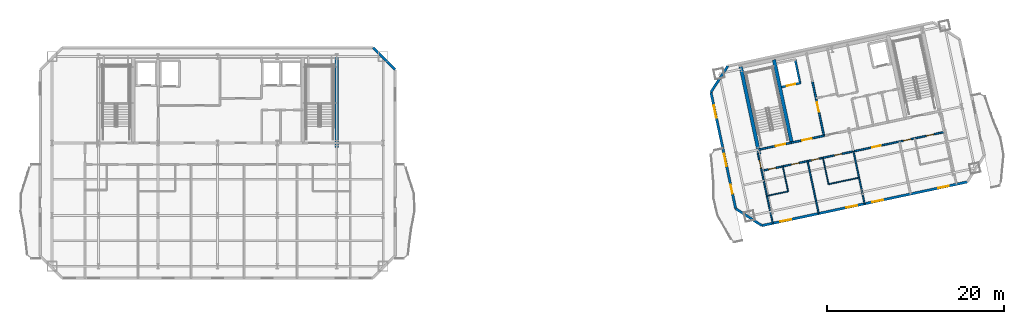
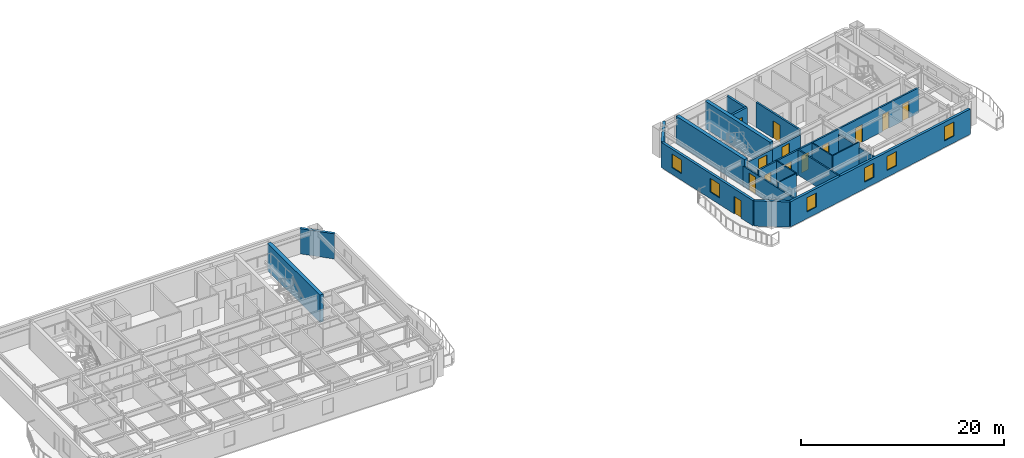
# One storey, part 7 of 13: 21 walls, 13 doors, 6 windows, 19 openings.
"""IFC4 building model written with IfcOpenShell, lengths in metres."""

from ifc_helpers import new_model, si_unit, direction, frame, frame_2d, origin, place, context, subcontext, project, spatial, rectangle, extrude, material, layer, layer_set, type_object, element, fill, save


model = new_model("IFC4")

# Units and contexts
model_context = context("Model", 3, precision=1e-05, world=origin(), true_north=direction((0.0, 1.0)))
body_context = subcontext(model_context, "Body", "Model", "MODEL_VIEW")
ifc_project = project(units=[si_unit("LENGTHUNIT", "METRE"), si_unit("AREAUNIT", "SQUARE_METRE"), si_unit("VOLUMEUNIT", "CUBIC_METRE"), si_unit("PLANEANGLEUNIT", "RADIAN"), si_unit("MASSUNIT", "GRAM", prefix="KILO")], contexts=[model_context])

# Site, building, storey
site_placement = place(None, origin())
site = spatial("IfcSite", under=ifc_project, at=site_placement, CompositionType="ELEMENT")
building_placement = place(site_placement, origin())
building = spatial("IfcBuilding", under=site, at=building_placement, Name="Haevon Station Towers", CompositionType="ELEMENT")
storey_placement = place(building_placement, frame((0.0, 0.0, 222.0)))
storey = spatial("IfcBuildingStorey", under=building, at=storey_placement, Name="L61", CompositionType="ELEMENT", Elevation=222.0)

# Wall, openings, doors
ifc_material_1 = material(Name="Gypsum board on steel stud", Category="steel")
ifc_layer_1 = layer(ifc_material_1, 0.179931640625)
ifc_layer_set_1 = layer_set([ifc_layer_1], Name="Gypsum board on steel stud")
wall_type_1 = type_object("IfcWallType", Name="WL-ACU180", PredefinedType="PARTITIONING", material=ifc_layer_set_1)
wall_1_placement = place(storey_placement, frame((99.12353515625, 35.047119140625, 0.0), z_axis=(0.0, 0.0, 1.0), x_axis=(0.97814677222, 0.207915588631, 0.0)))
wall_1 = element("IfcWall", 1, at=wall_1_placement, inside=storey, type_object=wall_type_1, Name="WL-T2PT-L61-12", PredefinedType="PARTITIONING", context=body_context, shape_type="SweptSolid", body=[
    extrude(rectangle(XDim=21.27001953125, YDim=0.179931640625, at=frame_2d((10.635009765625, 0.0))), origin(), (0.0, 0.0, 1.0), 3.030029296875),
])
opening_1_placement = place(wall_1_placement, frame((0.800048828125, 0.0, 0.0)))
opening_1 = element("IfcOpeningElement", 2, at=opening_1_placement, cuts=wall_1, Name="Opening DR-WL-T2PT-L61-12-01", PredefinedType="OPENING", context=body_context, shape_type="SweptSolid", body=[
    extrude(rectangle(XDim=0.85009765625, YDim=2.050048828125, at=frame_2d((0.425048828125, 1.02490234375))), frame((0.0, 0.099853515625, 0.0), z_axis=(0.0, -1.0, 0.0), x_axis=(1.0, 0.0, 0.0)), (0.0, 0.0, 1.0), 0.199951171875),
])
opening_2_placement = place(wall_1_placement, frame((3.43408203125, 0.0, 0.0)))
opening_2 = element("IfcOpeningElement", 3, at=opening_2_placement, cuts=wall_1, Name="Opening DR-WL-T2PT-L61-12-02", PredefinedType="OPENING", context=body_context, shape_type="SweptSolid", body=[
    extrude(rectangle(XDim=0.89990234375, YDim=2.050048828125, at=frame_2d((0.449951171875, 1.02490234375))), frame((0.0, 0.099853515625, 0.0), z_axis=(0.0, -1.0, 0.0), x_axis=(1.0, 0.0, 0.0)), (0.0, 0.0, 1.0), 0.199951171875),
])
opening_3_placement = place(wall_1_placement, frame((8.44091796875, 0.0, 0.0)))
opening_3 = element("IfcOpeningElement", 4, at=opening_3_placement, cuts=wall_1, Name="Opening DR-WL-T2PT-L61-12-03", PredefinedType="OPENING", context=body_context, shape_type="SweptSolid", body=[
    extrude(rectangle(XDim=0.85009765625, YDim=2.050048828125, at=frame_2d((0.425048828125, 1.02490234375))), frame((0.0, 0.099853515625, 0.0), z_axis=(0.0, -1.0, 0.0), x_axis=(1.0, 0.0, 0.0)), (0.0, 0.0, 1.0), 0.199951171875),
])
opening_4_placement = place(wall_1_placement, frame((5.757080078125, 0.0, 0.0)))
opening_4 = element("IfcOpeningElement", 5, at=opening_4_placement, cuts=wall_1, Name="Opening DR-WL-T2PT-L61-12-04", PredefinedType="OPENING", context=body_context, shape_type="SweptSolid", body=[
    extrude(rectangle(XDim=0.89990234375, YDim=2.050048828125, at=frame_2d((0.449951171875, 1.02490234375))), frame((0.0, 0.099853515625, 0.0), z_axis=(0.0, -1.0, 0.0), x_axis=(1.0, 0.0, 0.0)), (0.0, 0.0, 1.0), 0.199951171875),
])
opening_5_placement = place(wall_1_placement, frame((12.819091796875, 0.0, 0.0)))
opening_5 = element("IfcOpeningElement", 6, at=opening_5_placement, cuts=wall_1, Name="Opening DR-WL-T2PT-L61-12-05", PredefinedType="OPENING", context=body_context, shape_type="SweptSolid", body=[
    extrude(rectangle(XDim=0.949951171875, YDim=2.10009765625, at=frame_2d((0.47509765625, 1.050048828125))), frame((0.0, 0.099853515625, 0.0), z_axis=(0.0, -1.0, 0.0), x_axis=(1.0, 0.0, 0.0)), (0.0, 0.0, 1.0), 0.199951171875),
])
opening_6_placement = place(wall_1_placement, frame((19.075927734375, 0.0, 0.0)))
opening_6 = element("IfcOpeningElement", 7, at=opening_6_placement, cuts=wall_1, Name="Opening DR-WL-T2PT-L61-12-06", PredefinedType="OPENING", context=body_context, shape_type="SweptSolid", body=[
    extrude(rectangle(XDim=0.85009765625, YDim=2.050048828125, at=frame_2d((0.425048828125, 1.02490234375))), frame((0.0, 0.099853515625, 0.0), z_axis=(0.0, -1.0, 0.0), x_axis=(1.0, 0.0, 0.0)), (0.0, 0.0, 1.0), 0.199951171875),
])
opening_7_placement = place(wall_1_placement, frame((16.39208984375, 0.0, 0.0)))
opening_7 = element("IfcOpeningElement", 8, at=opening_7_placement, cuts=wall_1, Name="Opening DR-WL-T2PT-L61-12-07", PredefinedType="OPENING", context=body_context, shape_type="SweptSolid", body=[
    extrude(rectangle(XDim=0.89990234375, YDim=2.050048828125, at=frame_2d((0.449951171875, 1.02490234375))), frame((0.0, 0.099853515625, 0.0), z_axis=(0.0, -1.0, 0.0), x_axis=(1.0, 0.0, 0.0)), (0.0, 0.0, 1.0), 0.199951171875),
])
ifc_material_2 = material(Name="Engineered oak timber", Category="wood")
door_type_1 = type_object("IfcDoorType", Name="DR-FD30-850", OperationType="NOTDEFINED", PredefinedType="DOOR", material=ifc_material_2)
door_1_placement = place(opening_1_placement, origin())
door_1 = element("IfcDoor", 9, at=door_1_placement, inside=storey, type_object=door_type_1, Name="L61 Tower 2 Room Door 12-1", OperationType="SINGLE_SWING_RIGHT", OverallHeight=2.050048828125, OverallWidth=0.85009765625, PredefinedType="DOOR", context=body_context, shape_type="SweptSolid", body=[
    extrude(rectangle(XDim=0.85009765625, YDim=2.050048828125, at=frame_2d((0.425048828125, 1.02490234375))), frame((0.0, 0.02490234375, 0.0), z_axis=(0.0, -1.0, 0.0), x_axis=(1.0, 0.0, 0.0)), (0.0, 0.0, 1.0), 0.050048828125),
])
fill(opening_1, door_1)
door_2_placement = place(opening_3_placement, origin())
door_2 = element("IfcDoor", 10, at=door_2_placement, inside=storey, type_object=door_type_1, Name="L61 Tower 2 Room Door 12-3", OperationType="SINGLE_SWING_RIGHT", OverallHeight=2.050048828125, OverallWidth=0.85009765625, PredefinedType="DOOR", context=body_context, shape_type="SweptSolid", body=[
    extrude(rectangle(XDim=0.85009765625, YDim=2.050048828125, at=frame_2d((0.425048828125, 1.02490234375))), frame((0.0, 0.02490234375, 0.0), z_axis=(0.0, -1.0, 0.0), x_axis=(1.0, 0.0, 0.0)), (0.0, 0.0, 1.0), 0.050048828125),
])
fill(opening_3, door_2)
door_3_placement = place(opening_6_placement, origin())
door_3 = element("IfcDoor", 11, at=door_3_placement, inside=storey, type_object=door_type_1, Name="L61 Tower 2 Room Door 12-6", OperationType="SINGLE_SWING_LEFT", OverallHeight=2.050048828125, OverallWidth=0.85009765625, PredefinedType="DOOR", context=body_context, shape_type="SweptSolid", body=[
    extrude(rectangle(XDim=0.85009765625, YDim=2.050048828125, at=frame_2d((0.425048828125, 1.02490234375))), frame((0.0, 0.02490234375, 0.0), z_axis=(0.0, -1.0, 0.0), x_axis=(1.0, 0.0, 0.0)), (0.0, 0.0, 1.0), 0.050048828125),
])
fill(opening_6, door_3)
door_type_2 = type_object("IfcDoorType", Name="DR-FD30-950", OperationType="NOTDEFINED", PredefinedType="DOOR", material=ifc_material_2)
door_4_placement = place(opening_5_placement, origin())
door_4 = element("IfcDoor", 12, at=door_4_placement, inside=storey, type_object=door_type_2, Name="L61 Tower 2 Room Door 12-5", OperationType="SINGLE_SWING_RIGHT", OverallHeight=2.10009765625, OverallWidth=0.949951171875, PredefinedType="DOOR", context=body_context, shape_type="SweptSolid", body=[
    extrude(rectangle(XDim=0.949951171875, YDim=2.10009765625, at=frame_2d((0.47509765625, 1.050048828125))), frame((0.0, 0.02490234375, 0.0), z_axis=(0.0, -1.0, 0.0), x_axis=(1.0, 0.0, 0.0)), (0.0, 0.0, 1.0), 0.050048828125),
])
fill(opening_5, door_4)
door_type_3 = type_object("IfcDoorType", Name="DR-INT-900", OperationType="NOTDEFINED", PredefinedType="DOOR", material=ifc_material_2)
door_5_placement = place(opening_2_placement, origin())
door_5 = element("IfcDoor", 13, at=door_5_placement, inside=storey, type_object=door_type_3, Name="L61 Tower 2 Room Door 12-2", OperationType="SINGLE_SWING_LEFT", OverallHeight=2.050048828125, OverallWidth=0.89990234375, PredefinedType="DOOR", context=body_context, shape_type="SweptSolid", body=[
    extrude(rectangle(XDim=0.89990234375, YDim=2.050048828125, at=frame_2d((0.449951171875, 1.02490234375))), frame((0.0, 0.02490234375, 0.0), z_axis=(0.0, -1.0, 0.0), x_axis=(1.0, 0.0, 0.0)), (0.0, 0.0, 1.0), 0.050048828125),
])
fill(opening_2, door_5)
door_6_placement = place(opening_4_placement, origin())
door_6 = element("IfcDoor", 14, at=door_6_placement, inside=storey, type_object=door_type_3, Name="L61 Tower 2 Room Door 12-4", OperationType="SINGLE_SWING_LEFT", OverallHeight=2.050048828125, OverallWidth=0.89990234375, PredefinedType="DOOR", context=body_context, shape_type="SweptSolid", body=[
    extrude(rectangle(XDim=0.89990234375, YDim=2.050048828125, at=frame_2d((0.449951171875, 1.02490234375))), frame((0.0, 0.02490234375, 0.0), z_axis=(0.0, -1.0, 0.0), x_axis=(1.0, 0.0, 0.0)), (0.0, 0.0, 1.0), 0.050048828125),
])
fill(opening_4, door_6)
door_7_placement = place(opening_7_placement, origin())
door_7 = element("IfcDoor", 15, at=door_7_placement, inside=storey, type_object=door_type_3, Name="L61 Tower 2 Room Door 12-7", OperationType="SINGLE_SWING_RIGHT", OverallHeight=2.050048828125, OverallWidth=0.89990234375, PredefinedType="DOOR", context=body_context, shape_type="SweptSolid", body=[
    extrude(rectangle(XDim=0.89990234375, YDim=2.050048828125, at=frame_2d((0.449951171875, 1.02490234375))), frame((0.0, 0.02490234375, 0.0), z_axis=(0.0, -1.0, 0.0), x_axis=(1.0, 0.0, 0.0)), (0.0, 0.0, 1.0), 0.050048828125),
])
fill(opening_7, door_7)

# Wall, opening, door
ifc_layer_2 = layer(ifc_material_1, 0.199951171875)
ifc_layer_set_2 = layer_set([ifc_layer_2], Name="Gypsum board on steel stud")
wall_type_2 = type_object("IfcWallType", Name="WL-COR200", PredefinedType="PARTITIONING", material=ifc_layer_set_2)
wall_2_placement = place(storey_placement, frame((98.75244140625, 37.4423828125, 0.0), z_axis=(0.0, 0.0, 1.0), x_axis=(0.978143537786, 0.207930804564, 0.0)))
wall_2 = element("IfcWall", 16, at=wall_2_placement, inside=storey, type_object=wall_type_2, Name="WL-ST-ST3-L61", PredefinedType="PARTITIONING", context=body_context, shape_type="SweptSolid", body=[
    extrude(rectangle(XDim=3.85009765625, YDim=0.199951171875, at=frame_2d((1.925048828125, 0.0))), origin(), (0.0, 0.0, 1.0), 2.429931640625),
])
opening_8_placement = place(wall_2_placement, frame((2.0, 0.0, 0.0)))
opening_8 = element("IfcOpeningElement", 17, at=opening_8_placement, cuts=wall_2, Name="Opening DR-ST-ST3-L61", PredefinedType="OPENING", context=body_context, shape_type="SweptSolid", body=[
    extrude(rectangle(XDim=1.1201171875, YDim=2.10009765625, at=frame_2d((0.56005859375, 1.050048828125))), frame((0.0, 0.10986328125, 0.0), z_axis=(0.0, -1.0, 0.0), x_axis=(1.0, 0.0, 0.0)), (0.0, 0.0, 1.0), 0.219970703125),
])
door_type_4 = type_object("IfcDoorType", Name="DR-ST-1120", OperationType="NOTDEFINED", PredefinedType="DOOR", material=ifc_material_2)
door_8_placement = place(opening_8_placement, origin())
door_8 = element("IfcDoor", 18, at=door_8_placement, inside=storey, type_object=door_type_4, Name="L61 Escape Stair ST3 Fire Door", OperationType="SINGLE_SWING_RIGHT", OverallHeight=2.10009765625, OverallWidth=1.1201171875, PredefinedType="DOOR", context=body_context, shape_type="SweptSolid", body=[
    extrude(rectangle(XDim=1.1201171875, YDim=2.10009765625, at=frame_2d((0.56005859375, 1.050048828125))), frame((0.0, 0.02490234375, 0.0), z_axis=(0.0, -1.0, 0.0), x_axis=(1.0, 0.0, 0.0)), (0.0, 0.0, 1.0), 0.050048828125),
])
fill(opening_8, door_8)

wall_3_placement = place(storey_placement, frame((106.186279296875, 39.0224609375, 0.0), z_axis=(0.0, 0.0, 1.0), x_axis=(-0.207916691923, 0.978146537703, 0.0)))
wall_3 = element("IfcWall", 19, at=wall_3_placement, inside=storey, type_object=wall_type_2, Name="WL-T2FFL-L61-E", PredefinedType="PARTITIONING", context=body_context, shape_type="SweptSolid", body=[
    extrude(rectangle(XDim=6.35009765625, YDim=0.199951171875, at=frame_2d((3.175048828125, 0.0))), origin(), (0.0, 0.0, 1.0), 3.030029296875),
])
opening_9_placement = place(wall_3_placement, frame((2.800048828125, 0.0, 0.0)))
opening_9 = element("IfcOpeningElement", 20, at=opening_9_placement, cuts=wall_3, Name="Opening DR-T2FFL-L61-E", PredefinedType="OPENING", context=body_context, shape_type="SweptSolid", body=[
    extrude(rectangle(XDim=1.050048828125, YDim=2.10009765625, at=frame_2d((0.52490234375, 1.050048828125))), frame((0.0, 0.10986328125, 0.0), z_axis=(0.0, -1.0, 0.0), x_axis=(1.0, 0.0, 0.0)), (0.0, 0.0, 1.0), 0.219970703125),
])
door_type_5 = type_object("IfcDoorType", Name="DR-FD60-1050", OperationType="NOTDEFINED", PredefinedType="DOOR", material=ifc_material_2)
door_9_placement = place(opening_9_placement, origin())
door_9 = element("IfcDoor", 21, at=door_9_placement, inside=storey, type_object=door_type_5, Name="L61 Tower 2 Firefighting Lift Lobby Door E", OperationType="SINGLE_SWING_RIGHT", OverallHeight=2.10009765625, OverallWidth=1.050048828125, PredefinedType="DOOR", context=body_context, shape_type="SweptSolid", body=[
    extrude(rectangle(XDim=1.050048828125, YDim=2.10009765625, at=frame_2d((0.52490234375, 1.050048828125))), frame((0.0, 0.02490234375, 0.0), z_axis=(0.0, -1.0, 0.0), x_axis=(1.0, 0.0, 0.0)), (0.0, 0.0, 1.0), 0.050048828125),
])
fill(opening_9, door_9)

wall_4_placement = place(storey_placement, frame((102.518310546875, 38.242919921875, 0.0), z_axis=(0.0, 0.0, 1.0), x_axis=(0.978153555683, 0.20788367301, 0.0)))
wall_4 = element("IfcWall", 22, at=wall_4_placement, inside=storey, type_object=wall_type_2, Name="WL-T2FFL-L61-S", PredefinedType="PARTITIONING", context=body_context, shape_type="SweptSolid", body=[
    extrude(rectangle(XDim=3.75, YDim=0.199951171875, at=frame_2d((1.875, 0.0))), origin(), (0.0, 0.0, 1.0), 2.429931640625),
])
opening_10_placement = place(wall_4_placement, frame((1.25, 0.0, 0.0)))
opening_10 = element("IfcOpeningElement", 23, at=opening_10_placement, cuts=wall_4, Name="Opening DR-T2FFL-L61-S", PredefinedType="OPENING", context=body_context, shape_type="SweptSolid", body=[
    extrude(rectangle(XDim=1.050048828125, YDim=2.10009765625, at=frame_2d((0.52490234375, 1.050048828125))), frame((0.0, 0.10986328125, 0.0), z_axis=(0.0, -1.0, 0.0), x_axis=(1.0, 0.0, 0.0)), (0.0, 0.0, 1.0), 0.219970703125),
])
door_10_placement = place(opening_10_placement, origin())
door_10 = element("IfcDoor", 24, at=door_10_placement, inside=storey, type_object=door_type_5, Name="L61 Tower 2 Firefighting Lift Lobby Door S", OperationType="SINGLE_SWING_LEFT", OverallHeight=2.10009765625, OverallWidth=1.050048828125, PredefinedType="DOOR", context=body_context, shape_type="SweptSolid", body=[
    extrude(rectangle(XDim=1.050048828125, YDim=2.10009765625, at=frame_2d((0.52490234375, 1.050048828125))), frame((0.0, 0.02490234375, 0.0), z_axis=(0.0, -1.0, 0.0), x_axis=(1.0, 0.0, 0.0)), (0.0, 0.0, 1.0), 0.050048828125),
])
fill(opening_10, door_10)

# Walls
ifc_material_3 = material(Name="Concrete C60/75", Category="concrete")
ifc_layer_3 = layer(ifc_material_3, 0.39990234375)
ifc_layer_set_3 = layer_set([ifc_layer_3], Name="Concrete C60/75")
wall_type_3 = type_object("IfcWallType", Name="WL-CR400", PredefinedType="SHEAR", material=ifc_layer_set_3)
wall_5_placement = place(storey_placement, frame((51.0, 37.679931640625, 0.0), z_axis=(0.0, 0.0, 1.0), x_axis=(0.0, 1.0, 0.0)))
element("IfcWall", 25, at=wall_5_placement, inside=storey, type_object=wall_type_3, Name="WL-T1CR-L61-E", PredefinedType="SHEAR", context=body_context, shape_type="SweptSolid", body=[
    extrude(rectangle(XDim=10.320068359375, YDim=0.39990234375, at=frame_2d((5.16015625, 0.0))), origin(), (0.0, 0.0, 1.0), 3.300048828125),
])
wall_6_placement = place(storey_placement, frame((98.8603515625, 36.933837890625, 0.0), z_axis=(0.0, 0.0, 1.0), x_axis=(-0.20790924889, 0.978148119778, 0.0)))
element("IfcWall", 26, at=wall_6_placement, inside=storey, type_object=wall_type_3, Name="WL-T2CR-L61-W", PredefinedType="SHEAR", context=body_context, shape_type="SweptSolid", body=[
    extrude(rectangle(XDim=10.119873046875, YDim=0.39990234375, at=frame_2d((5.06005859375, 0.0))), origin(), (0.0, 0.0, 1.0), 3.300048828125),
])
wall_7_placement = place(storey_placement, frame((102.518310546875, 38.242919921875, 0.0), z_axis=(0.0, 0.0, 1.0), x_axis=(-0.207927495108, 0.978144241295, 0.0)))
element("IfcWall", 27, at=wall_7_placement, inside=storey, type_object=wall_type_3, Name="WL-T2CR-L61-M1", PredefinedType="SHEAR", context=body_context, shape_type="SweptSolid", body=[
    extrude(rectangle(XDim=9.599853515625, YDim=0.39990234375, at=frame_2d((4.7998046875, 0.0))), origin(), (0.0, 0.0, 1.0), 3.300048828125),
])
ifc_material_4 = material(Name="Precast concrete C45/55", Category="concrete")
ifc_layer_4 = layer(ifc_material_4, 0.280029296875)
ifc_layer_set_4 = layer_set([ifc_layer_4], Name="Precast concrete C45/55")
wall_type_4 = type_object("IfcWallType", Name="WL-EXT-PIER280", PredefinedType="SOLIDWALL", material=ifc_layer_set_4)
wall_8_placement = place(storey_placement, frame((55.10009765625, 49.0, 0.0), z_axis=(0.0, 0.0, 1.0), x_axis=(0.707106781187, -0.707106781187, 0.0)))
element("IfcWall", 28, at=wall_8_placement, inside=storey, type_object=wall_type_4, Name="WL-T1-L61-NEC", PredefinedType="SOLIDWALL", context=body_context, shape_type="SweptSolid", body=[
    extrude(rectangle(XDim=3.53564453125, YDim=0.280029296875, at=frame_2d((1.767822265625, 0.0))), origin(), (0.0, 0.0, 1.0), 3.030029296875),
])

# Wall, openings, windows
wall_9_placement = place(storey_placement, frame((122.427978515625, 33.795166015625, 0.0), z_axis=(0.0, 0.0, 1.0), x_axis=(-0.978147847697, -0.207910528946, 0.0)))
wall_9 = element("IfcWall", 29, at=wall_9_placement, inside=storey, type_object=wall_type_4, Name="WL-T2-L61-S", PredefinedType="SOLIDWALL", context=body_context, shape_type="SweptSolid", body=[
    extrude(rectangle(XDim=23.7998046875, YDim=0.280029296875, at=frame_2d((11.89990234375, 0.0))), origin(), (0.0, 0.0, 1.0), 3.030029296875),
])
opening_11_placement = place(wall_9_placement, frame((20.408935546875, 0.0, 0.800048828125)))
opening_11 = element("IfcOpeningElement", 30, at=opening_11_placement, cuts=wall_9, Name="Opening WN-P125", PredefinedType="OPENING", context=body_context, shape_type="SweptSolid", body=[
    extrude(rectangle(XDim=1.25, YDim=1.699951171875, at=frame_2d((0.625, 0.85009765625))), frame((0.0, 0.14990234375, 0.0), z_axis=(0.0, -1.0, 0.0), x_axis=(1.0, 0.0, 0.0)), (0.0, 0.0, 1.0), 0.300048828125),
])
opening_12_placement = place(wall_9_placement, frame((12.776123046875, 0.0, 0.800048828125)))
opening_12 = element("IfcOpeningElement", 31, at=opening_12_placement, cuts=wall_9, Name="Opening WN-P125", PredefinedType="OPENING", context=body_context, shape_type="SweptSolid", body=[
    extrude(rectangle(XDim=1.25, YDim=1.699951171875, at=frame_2d((0.625, 0.85009765625))), frame((0.0, 0.14990234375, 0.0), z_axis=(0.0, -1.0, 0.0), x_axis=(1.0, 0.0, 0.0)), (0.0, 0.0, 1.0), 0.300048828125),
])
opening_13_placement = place(wall_9_placement, frame((9.77392578125, 0.0, 0.800048828125)))
opening_13 = element("IfcOpeningElement", 32, at=opening_13_placement, cuts=wall_9, Name="Opening WN-P125", PredefinedType="OPENING", context=body_context, shape_type="SweptSolid", body=[
    extrude(rectangle(XDim=1.25, YDim=1.699951171875, at=frame_2d((0.625, 0.85009765625))), frame((0.0, 0.14990234375, 0.0), z_axis=(0.0, -1.0, 0.0), x_axis=(1.0, 0.0, 0.0)), (0.0, 0.0, 1.0), 0.300048828125),
])
opening_14_placement = place(wall_9_placement, frame((2.14111328125, 0.0, 0.800048828125)))
opening_14 = element("IfcOpeningElement", 33, at=opening_14_placement, cuts=wall_9, Name="Opening WN-P125", PredefinedType="OPENING", context=body_context, shape_type="SweptSolid", body=[
    extrude(rectangle(XDim=1.25, YDim=1.699951171875, at=frame_2d((0.625, 0.85009765625))), frame((0.0, 0.14990234375, 0.0), z_axis=(0.0, -1.0, 0.0), x_axis=(1.0, 0.0, 0.0)), (0.0, 0.0, 1.0), 0.300048828125),
])
ifc_material_5 = material(Name="Low-E triple glazing in thermally broken aluminium", Category="aluminium")
window_type_1 = type_object("IfcWindowType", Name="WN-P125", PartitioningType="SINGLE_PANEL", PredefinedType="WINDOW", material=ifc_material_5)
window_1_placement = place(opening_11_placement, origin())
window_1 = element("IfcWindow", 34, at=window_1_placement, inside=storey, type_object=window_type_1, Name="WN-T2-L61-S01", OverallHeight=1.699951171875, OverallWidth=1.25, PartitioningType="SINGLE_PANEL", PredefinedType="WINDOW", context=body_context, shape_type="SweptSolid", body=[
    extrude(rectangle(XDim=1.25, YDim=1.699951171875, at=frame_2d((0.625, 0.85009765625))), frame((0.0, 0.030029296875, 0.0), z_axis=(0.0, -1.0, 0.0), x_axis=(1.0, 0.0, 0.0)), (0.0, 0.0, 1.0), 0.06005859375),
])
fill(opening_11, window_1)
window_2_placement = place(opening_12_placement, origin())
window_2 = element("IfcWindow", 35, at=window_2_placement, inside=storey, type_object=window_type_1, Name="WN-T2-L61-S02", OverallHeight=1.699951171875, OverallWidth=1.25, PartitioningType="SINGLE_PANEL", PredefinedType="WINDOW", context=body_context, shape_type="SweptSolid", body=[
    extrude(rectangle(XDim=1.25, YDim=1.699951171875, at=frame_2d((0.625, 0.85009765625))), frame((0.0, 0.030029296875, 0.0), z_axis=(0.0, -1.0, 0.0), x_axis=(1.0, 0.0, 0.0)), (0.0, 0.0, 1.0), 0.06005859375),
])
fill(opening_12, window_2)
window_3_placement = place(opening_13_placement, origin())
window_3 = element("IfcWindow", 36, at=window_3_placement, inside=storey, type_object=window_type_1, Name="WN-T2-L61-S03", OverallHeight=1.699951171875, OverallWidth=1.25, PartitioningType="SINGLE_PANEL", PredefinedType="WINDOW", context=body_context, shape_type="SweptSolid", body=[
    extrude(rectangle(XDim=1.25, YDim=1.699951171875, at=frame_2d((0.625, 0.85009765625))), frame((0.0, 0.030029296875, 0.0), z_axis=(0.0, -1.0, 0.0), x_axis=(1.0, 0.0, 0.0)), (0.0, 0.0, 1.0), 0.06005859375),
])
fill(opening_13, window_3)
window_4_placement = place(opening_14_placement, origin())
window_4 = element("IfcWindow", 37, at=window_4_placement, inside=storey, type_object=window_type_1, Name="WN-T2-L61-S04", OverallHeight=1.699951171875, OverallWidth=1.25, PartitioningType="SINGLE_PANEL", PredefinedType="WINDOW", context=body_context, shape_type="SweptSolid", body=[
    extrude(rectangle(XDim=1.25, YDim=1.699951171875, at=frame_2d((0.625, 0.85009765625))), frame((0.0, 0.030029296875, 0.0), z_axis=(0.0, -1.0, 0.0), x_axis=(1.0, 0.0, 0.0)), (0.0, 0.0, 1.0), 0.06005859375),
])
fill(opening_14, window_4)

# Wall
wall_10_placement = place(storey_placement, frame((99.148193359375, 28.846923828125, 0.0), z_axis=(0.0, 0.0, 1.0), x_axis=(-0.838692791597, 0.544604812064, 0.0)))
element("IfcWall", 38, at=wall_10_placement, inside=storey, type_object=wall_type_4, Name="WL-T2-L61-SWC", PredefinedType="SOLIDWALL", context=body_context, shape_type="SweptSolid", body=[
    extrude(rectangle(XDim=3.53564453125, YDim=0.280029296875, at=frame_2d((1.767822265625, 0.0))), origin(), (0.0, 0.0, 1.0), 3.030029296875),
])

# Wall, openings, door, windows
wall_11_placement = place(storey_placement, frame((96.182861328125, 30.7724609375, 0.0), z_axis=(0.0, 0.0, 1.0), x_axis=(-0.207907239961, 0.978148546782, 0.0)))
wall_11 = element("IfcWall", 39, at=wall_11_placement, inside=storey, type_object=wall_type_4, Name="WL-T2-L61-W", PredefinedType="SOLIDWALL", context=body_context, shape_type="SweptSolid", body=[
    extrude(rectangle(XDim=13.489990234375, YDim=0.280029296875, at=frame_2d((6.7451171875, 0.0))), origin(), (0.0, 0.0, 1.0), 3.030029296875),
])
opening_15_placement = place(wall_11_placement, frame((1.719970703125, 0.0, 0.0)))
opening_15 = element("IfcOpeningElement", 40, at=opening_15_placement, cuts=wall_11, Name="Opening DR-T2-SCAL-L61-W", PredefinedType="OPENING", context=body_context, shape_type="SweptSolid", body=[
    extrude(rectangle(XDim=1.050048828125, YDim=2.10009765625, at=frame_2d((0.52490234375, 1.050048828125))), frame((0.0, 0.14990234375, 0.0), z_axis=(0.0, -1.0, 0.0), x_axis=(1.0, 0.0, 0.0)), (0.0, 0.0, 1.0), 0.300048828125),
])
opening_16_placement = place(wall_11_placement, frame((4.921142578125, 0.0, 0.800048828125)))
opening_16 = element("IfcOpeningElement", 41, at=opening_16_placement, cuts=wall_11, Name="Opening WN-END140", PredefinedType="OPENING", context=body_context, shape_type="SweptSolid", body=[
    extrude(rectangle(XDim=1.39990234375, YDim=1.64990234375, at=frame_2d((0.699951171875, 0.824951171875))), frame((0.0, 0.14990234375, 0.0), z_axis=(0.0, -1.0, 0.0), x_axis=(1.0, 0.0, 0.0)), (0.0, 0.0, 1.0), 0.300048828125),
])
opening_17_placement = place(wall_11_placement, frame((10.540771484375, 0.0, 0.800048828125)))
opening_17 = element("IfcOpeningElement", 42, at=opening_17_placement, cuts=wall_11, Name="Opening WN-END140", PredefinedType="OPENING", context=body_context, shape_type="SweptSolid", body=[
    extrude(rectangle(XDim=1.39990234375, YDim=1.64990234375, at=frame_2d((0.699951171875, 0.824951171875))), frame((0.0, 0.14990234375, 0.0), z_axis=(0.0, -1.0, 0.0), x_axis=(1.0, 0.0, 0.0)), (0.0, 0.0, 1.0), 0.300048828125),
])
ifc_material_6 = material(Name="Thermally broken anodised aluminium and laminated safety glass", Category="aluminium")
door_type_6 = type_object("IfcDoorType", Name="DR-BALC-1050", OperationType="NOTDEFINED", PredefinedType="DOOR", material=ifc_material_6)
door_11_placement = place(opening_15_placement, origin())
door_11 = element("IfcDoor", 43, at=door_11_placement, inside=storey, type_object=door_type_6, Name="Tower 2 L61 West Scalloped Balcony Door", OperationType="SINGLE_SWING_RIGHT", OverallHeight=2.10009765625, OverallWidth=1.050048828125, PredefinedType="DOOR", context=body_context, shape_type="SweptSolid", body=[
    extrude(rectangle(XDim=1.050048828125, YDim=2.10009765625, at=frame_2d((0.52490234375, 1.050048828125))), frame((0.0, 0.02490234375, 0.0), z_axis=(0.0, -1.0, 0.0), x_axis=(1.0, 0.0, 0.0)), (0.0, 0.0, 1.0), 0.050048828125),
])
fill(opening_15, door_11)
window_type_2 = type_object("IfcWindowType", Name="WN-END140", PartitioningType="SINGLE_PANEL", PredefinedType="WINDOW", material=ifc_material_5)
window_5_placement = place(opening_16_placement, origin())
window_5 = element("IfcWindow", 44, at=window_5_placement, inside=storey, type_object=window_type_2, Name="WN-T2-L61-W01", OverallHeight=1.64990234375, OverallWidth=1.39990234375, PartitioningType="SINGLE_PANEL", PredefinedType="WINDOW", context=body_context, shape_type="SweptSolid", body=[
    extrude(rectangle(XDim=1.39990234375, YDim=1.64990234375, at=frame_2d((0.699951171875, 0.824951171875))), frame((0.0, 0.030029296875, 0.0), z_axis=(0.0, -1.0, 0.0), x_axis=(1.0, 0.0, 0.0)), (0.0, 0.0, 1.0), 0.06005859375),
])
fill(opening_16, window_5)
window_6_placement = place(opening_17_placement, origin())
window_6 = element("IfcWindow", 45, at=window_6_placement, inside=storey, type_object=window_type_2, Name="WN-T2-L61-W02", OverallHeight=1.64990234375, OverallWidth=1.39990234375, PartitioningType="SINGLE_PANEL", PredefinedType="WINDOW", context=body_context, shape_type="SweptSolid", body=[
    extrude(rectangle(XDim=1.39990234375, YDim=1.64990234375, at=frame_2d((0.699951171875, 0.824951171875))), frame((0.0, 0.030029296875, 0.0), z_axis=(0.0, -1.0, 0.0), x_axis=(1.0, 0.0, 0.0)), (0.0, 0.0, 1.0), 0.06005859375),
])
fill(opening_17, window_6)

# Walls
wall_12_placement = place(storey_placement, frame((93.378173828125, 43.9677734375, 0.0), z_axis=(0.0, 0.0, 1.0), x_axis=(0.544636352948, 0.838672309694, 0.0)))
element("IfcWall", 46, at=wall_12_placement, inside=storey, type_object=wall_type_4, Name="WL-T2-L61-NWC", PredefinedType="SOLIDWALL", context=body_context, shape_type="SweptSolid", body=[
    extrude(rectangle(XDim=3.535400390625, YDim=0.280029296875, at=frame_2d((1.767578125, 0.0))), origin(), (0.0, 0.0, 1.0), 3.030029296875),
])
ifc_layer_5 = layer(ifc_material_1, 0.125)
ifc_layer_set_5 = layer_set([ifc_layer_5], Name="Gypsum board on steel stud")
wall_type_5 = type_object("IfcWallType", Name="WL-PRT125", PredefinedType="PARTITIONING", material=ifc_layer_set_5)
wall_13_placement = place(storey_placement, frame((99.726318359375, 32.210693359375, 0.0), z_axis=(0.0, 0.0, 1.0), x_axis=(0.978156824814, 0.207868290196, 0.0)))
element("IfcWall", 47, at=wall_13_placement, inside=storey, type_object=wall_type_5, Name="WL-T2PT-L61-03", PredefinedType="PARTITIONING", context=body_context, shape_type="SweptSolid", body=[
    extrude(rectangle(XDim=2.449951171875, YDim=0.125, at=frame_2d((1.22509765625, 0.0))), origin(), (0.0, 0.0, 1.0), 3.030029296875),
])
wall_14_placement = place(storey_placement, frame((102.122802734375, 32.719970703125, 0.0), z_axis=(0.0, 0.0, 1.0), x_axis=(-0.207855735235, 0.978159492787, 0.0)))
element("IfcWall", 48, at=wall_14_placement, inside=storey, type_object=wall_type_5, Name="WL-T2PT-L61-04", PredefinedType="PARTITIONING", context=body_context, shape_type="SweptSolid", body=[
    extrude(rectangle(XDim=2.89990234375, YDim=0.125, at=frame_2d((1.449951171875, 0.0))), origin(), (0.0, 0.0, 1.0), 3.030029296875),
])
wall_15_placement = place(storey_placement, frame((106.699951171875, 33.53955078125, 0.0), z_axis=(0.0, 0.0, 1.0), x_axis=(0.978155518159, 0.207874438771, 0.0)))
element("IfcWall", 49, at=wall_15_placement, inside=storey, type_object=wall_type_5, Name="WL-T2PT-L61-06", PredefinedType="PARTITIONING", context=body_context, shape_type="SweptSolid", body=[
    extrude(rectangle(XDim=3.53759765625, YDim=0.125, at=frame_2d((1.768798828125, 0.0))), origin(), (0.0, 0.0, 1.0), 3.030029296875),
])
wall_16_placement = place(storey_placement, frame((106.699951171875, 33.53955078125, 0.0), z_axis=(0.0, 0.0, 1.0), x_axis=(-0.207877902534, 0.978154782045, 0.0)))
element("IfcWall", 50, at=wall_16_placement, inside=storey, type_object=wall_type_5, Name="WL-T2PT-L61-07", PredefinedType="PARTITIONING", context=body_context, shape_type="SweptSolid", body=[
    extrude(rectangle(XDim=3.050048828125, YDim=0.125, at=frame_2d((1.52490234375, 0.0))), origin(), (0.0, 0.0, 1.0), 3.030029296875),
])

# Wall, opening, door
ifc_layer_6 = layer(ifc_material_1, 0.159912109375)
ifc_layer_set_6 = layer_set([ifc_layer_6], Name="Gypsum board on steel stud")
wall_type_6 = type_object("IfcWallType", Name="WL-PRT160", PredefinedType="PARTITIONING", material=ifc_layer_set_6)
wall_17_placement = place(storey_placement, frame((100.385498046875, 29.10986328125, 0.0), z_axis=(0.0, 0.0, 1.0), x_axis=(-0.207922572799, 0.978145287634, 0.0)))
wall_17 = element("IfcWall", 51, at=wall_17_placement, inside=storey, type_object=wall_type_6, Name="WL-T2PT-L61-01", PredefinedType="PARTITIONING", context=body_context, shape_type="SweptSolid", body=[
    extrude(rectangle(XDim=8.18994140625, YDim=0.159912109375, at=frame_2d((4.094970703125, 0.0))), origin(), (0.0, 0.0, 1.0), 2.429931640625),
])
opening_18_placement = place(wall_17_placement, frame((6.389892578125, 0.0, 0.0)))
opening_18 = element("IfcOpeningElement", 52, at=opening_18_placement, cuts=wall_17, Name="Opening DR-WL-T2PT-L61-01-01", PredefinedType="OPENING", context=body_context, shape_type="SweptSolid", body=[
    extrude(rectangle(XDim=0.89990234375, YDim=2.050048828125, at=frame_2d((0.449951171875, 1.02490234375))), frame((0.0, 0.08984375, 0.0), z_axis=(0.0, -1.0, 0.0), x_axis=(1.0, 0.0, 0.0)), (0.0, 0.0, 1.0), 0.179931640625),
])
door_12_placement = place(opening_18_placement, origin())
door_12 = element("IfcDoor", 53, at=door_12_placement, inside=storey, type_object=door_type_3, Name="L61 Tower 2 Room Door 1-1", OperationType="SINGLE_SWING_RIGHT", OverallHeight=2.050048828125, OverallWidth=0.89990234375, PredefinedType="DOOR", context=body_context, shape_type="SweptSolid", body=[
    extrude(rectangle(XDim=0.89990234375, YDim=2.050048828125, at=frame_2d((0.449951171875, 1.02490234375))), frame((0.0, 0.02490234375, 0.0), z_axis=(0.0, -1.0, 0.0), x_axis=(1.0, 0.0, 0.0)), (0.0, 0.0, 1.0), 0.050048828125),
])
fill(opening_18, door_12)

# Walls
wall_18_placement = place(storey_placement, frame((105.586669921875, 30.21533203125, 0.0), z_axis=(0.0, 0.0, 1.0), x_axis=(-0.207897237954, 0.978150672673, 0.0)))
element("IfcWall", 54, at=wall_18_placement, inside=storey, type_object=wall_type_6, Name="WL-T2PT-L61-05", PredefinedType="PARTITIONING", context=body_context, shape_type="SweptSolid", body=[
    extrude(rectangle(XDim=6.070068359375, YDim=0.159912109375, at=frame_2d((3.03515625, 0.0))), origin(), (0.0, 0.0, 1.0), 3.030029296875),
])
wall_19_placement = place(storey_placement, frame((110.7880859375, 31.321044921875, 0.0), z_axis=(0.0, 0.0, 1.0), x_axis=(-0.207905417202, 0.978148934211, 0.0)))
element("IfcWall", 55, at=wall_19_placement, inside=storey, type_object=wall_type_6, Name="WL-T2PT-L61-08", PredefinedType="PARTITIONING", context=body_context, shape_type="SweptSolid", body=[
    extrude(rectangle(XDim=6.06982421875, YDim=0.159912109375, at=frame_2d((3.034912109375, 0.0))), origin(), (0.0, 0.0, 1.0), 2.429931640625),
])

# Wall, opening, door
ifc_material_7 = material(Name="Concrete C40/50", Category="concrete")
ifc_layer_7 = layer(ifc_material_7, 0.239990234375)
ifc_layer_set_7 = layer_set([ifc_layer_7], Name="Concrete C40/50")
wall_type_7 = type_object("IfcWallType", Name="WL-SHF240", PredefinedType="PARTITIONING", material=ifc_layer_set_7)
wall_20_placement = place(storey_placement, frame((101.353759765625, 44.538330078125, 0.0), z_axis=(0.0, 0.0, 1.0), x_axis=(0.978141002414, 0.207942731049, 0.0)))
wall_20 = element("IfcWall", 56, at=wall_20_placement, inside=storey, type_object=wall_type_7, Name="WL-SHF-FL2-L61", PredefinedType="PARTITIONING", context=body_context, shape_type="SweptSolid", body=[
    extrude(rectangle(XDim=2.260009765625, YDim=0.239990234375, at=frame_2d((1.1298828125, 0.0))), origin(), (0.0, 0.0, 1.0), 3.030029296875),
])
opening_19_placement = place(wall_20_placement, frame((0.655029296875, 0.0, 0.0)))
opening_19 = element("IfcOpeningElement", 57, at=opening_19_placement, cuts=wall_20, Name="Opening LD-FL2-L61", PredefinedType="OPENING", context=body_context, shape_type="SweptSolid", body=[
    extrude(rectangle(XDim=0.949951171875, YDim=2.14990234375, at=frame_2d((0.47509765625, 1.074951171875))), frame((0.0, 0.1298828125, 0.0), z_axis=(0.0, -1.0, 0.0), x_axis=(1.0, 0.0, 0.0)), (0.0, 0.0, 1.0), 0.260009765625),
])
ifc_material_8 = material(Name="Stainless steel and rated core", Category="steel")
door_type_7 = type_object("IfcDoorType", Name="LD-FL950", OperationType="SLIDING_TO_LEFT", PredefinedType="DOOR", material=ifc_material_8)
door_13_placement = place(opening_19_placement, origin())
door_13 = element("IfcDoor", 58, at=door_13_placement, inside=storey, type_object=door_type_7, Name="L61 Lift FL2 Sliding Landing Door", OperationType="SLIDING_TO_LEFT", OverallHeight=2.14990234375, OverallWidth=0.949951171875, PredefinedType="DOOR", context=body_context, shape_type="SweptSolid", body=[
    extrude(rectangle(XDim=0.949951171875, YDim=2.14990234375, at=frame_2d((0.47509765625, 1.074951171875))), frame((0.0, 0.02490234375, 0.0), z_axis=(0.0, -1.0, 0.0), x_axis=(1.0, 0.0, 0.0)), (0.0, 0.0, 1.0), 0.050048828125),
])
fill(opening_19, door_13)

# Wall
wall_21_placement = place(storey_placement, frame((103.486328125, 44.99169921875, 0.0), z_axis=(0.0, 0.0, 1.0), x_axis=(-0.207978798957, 0.978133334052, 0.0)))
element("IfcWall", 59, at=wall_21_placement, inside=storey, type_object=wall_type_7, Name="WL-SHF-FL2-L61-E", PredefinedType="PARTITIONING", context=body_context, shape_type="SweptSolid", body=[
    extrude(rectangle(XDim=2.699951171875, YDim=0.239990234375, at=frame_2d((1.35009765625, 0.0))), origin(), (0.0, 0.0, 1.0), 3.030029296875),
])

save(model, "model.ifc")
